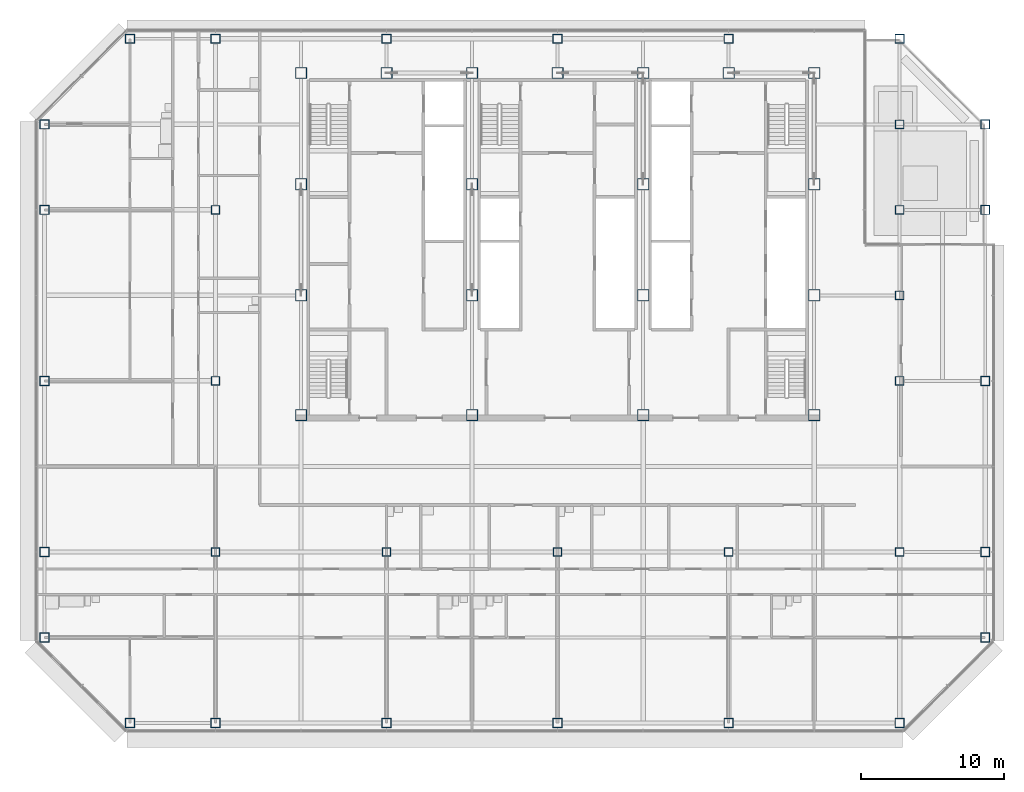
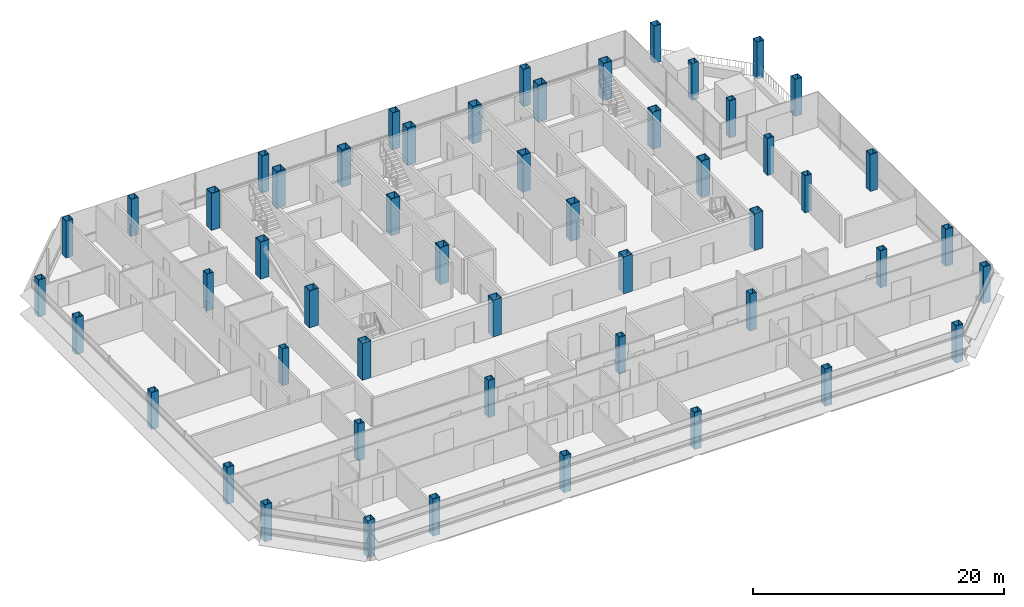
# One storey, part 1 of 29: 52 columns.
"""IFC4 building model written with IfcOpenShell, lengths in metres."""

from ifc_helpers import new_model, si_unit, direction, frame, origin, origin_2d, place, context, subcontext, project, spatial, hollow_rectangle, extrude, material, material_profile, profile_set, type_object, element, save


model = new_model("IFC4")

# Units and contexts
model_context = context("Model", 3, precision=1e-05, world=origin(), true_north=direction((0.0, 1.0)))
body_context = subcontext(model_context, "Body", "Model", "MODEL_VIEW")
ifc_project = project(units=[si_unit("LENGTHUNIT", "METRE"), si_unit("AREAUNIT", "SQUARE_METRE"), si_unit("VOLUMEUNIT", "CUBIC_METRE"), si_unit("PLANEANGLEUNIT", "RADIAN"), si_unit("MASSUNIT", "GRAM", prefix="KILO")], contexts=[model_context])

# Site, building, storey
site_placement = place(None, origin())
site = spatial("IfcSite", under=ifc_project, at=site_placement, CompositionType="ELEMENT")
building_placement = place(site_placement, origin())
building = spatial("IfcBuilding", under=site, at=building_placement, Name="Sorahane Residences", CompositionType="ELEMENT")
storey_placement = place(building_placement, frame((0.0, 0.0, 199.199951171875)))
storey = spatial("IfcBuildingStorey", under=building, at=storey_placement, Name="L46", CompositionType="ELEMENT", Elevation=199.199951171875)

# Columns
ifc_material_1 = material(Name="Steel Q355B", Category="steel")
ifc_material_profile_1 = material_profile(ifc_material_1, hollow_rectangle(XDim=0.60009765625, YDim=0.60009765625, WallThickness=0.028076171875, at=origin_2d()), Name="BOX 600x600x28")
ifc_profile_set_1 = profile_set([ifc_material_profile_1], Name="Steel Q355B")
column_type_1 = type_object("IfcColumnType", Name="Steel box column BOX 600x600x28 Q355B", PredefinedType="COLUMN", material=ifc_profile_set_1)
for number, where, z_axis, x_axis, name in (
    (1, (0.0, 12.0, 0.0), (0.0, 0.0, 1.0), (1.0, 0.0, 0.0), "Column L46 0/12"),
    (2, (0.0, 24.0, 0.0), (0.0, 0.0, 1.0), (1.0, 0.0, 0.0), "Column L46 0/24"),
    (3, (0.0, 36.0, 0.0), (0.0, 0.0, 1.0), (1.0, 0.0, 0.0), "Column L46 0/36"),
    (4, (12.0, 12.0, 0.0), (0.0, 0.0, 1.0), (1.0, 0.0, 0.0), "Column L46 12/12"),
    (5, (24.0, 12.0, 0.0), (0.0, 0.0, 1.0), (1.0, 0.0, 0.0), "Column L46 24/12"),
    (6, (36.0, 12.0, 0.0), (0.0, 0.0, 1.0), (1.0, 0.0, 0.0), "Column L46 36/12"),
    (7, (48.0, 12.0, 0.0), (0.0, 0.0, 1.0), (1.0, 0.0, 0.0), "Column L46 48/12"),
    (8, (48.0, 24.0, 0.0), (0.0, 0.0, 1.0), (1.0, 0.0, 0.0), "Column L46 48/24"),
    (9, (48.0, 30.0, 0.0), (0.0, 0.0, 1.0), (1.0, 0.0, 0.0), "Column L46 48/30"),
    (10, (48.0, 36.0, 0.0), (0.0, 0.0, 1.0), (1.0, 0.0, 0.0), "Column L46 48/36"),
    (11, (48.0, 42.0, 0.0), (0.0, 0.0, 1.0), (1.0, 0.0, 0.0), "Column L46 48/42"),
):
    element("IfcColumn", number, at=place(storey_placement, frame(where, z_axis=z_axis, x_axis=x_axis)), inside=storey, type_object=column_type_1, Name=name, PredefinedType="COLUMN", context=body_context, shape_type="SweptSolid", body=[
        extrude(hollow_rectangle(XDim=0.60009765625, YDim=0.60009765625, WallThickness=0.028076171875, at=origin_2d()), origin(), (0.0, 0.0, 1.0), 3.60009765625),
    ])
ifc_material_2 = material(Name="Steel Q355B", Category="steel")
ifc_material_profile_2 = material_profile(ifc_material_2, hollow_rectangle(XDim=0.64990234375, YDim=0.64990234375, WallThickness=0.031982421875, at=origin_2d()), Name="BOX 650x650x32")
ifc_profile_set_2 = profile_set([ifc_material_profile_2], Name="Steel Q355B")
column_type_2 = type_object("IfcColumnType", Name="Steel box column BOX 650x650x32 Q355B", PredefinedType="COLUMN", material=ifc_profile_set_2)
for number, where, z_axis, x_axis, name in (
    (12, (-12.0, 6.0, 0.0), (0.0, 0.0, 1.0), (1.0, 0.0, 0.0), "Column L46 m12/6"),
    (13, (-12.0, 12.0, 0.0), (0.0, 0.0, 1.0), (1.0, 0.0, 0.0), "Column L46 m12/12"),
    (14, (-12.0, 24.0, 0.0), (0.0, 0.0, 1.0), (1.0, 0.0, 0.0), "Column L46 m12/24"),
    (15, (-12.0, 36.0, 0.0), (0.0, 0.0, 1.0), (1.0, 0.0, 0.0), "Column L46 m12/36"),
    (16, (-12.0, 42.0, 0.0), (0.0, 0.0, 1.0), (1.0, 0.0, 0.0), "Column L46 m12/42"),
    (17, (-6.0, 0.0, 0.0), (0.0, 0.0, 1.0), (1.0, 0.0, 0.0), "Column L46 m6/0"),
    (18, (-6.0, 48.0, 0.0), (0.0, 0.0, 1.0), (1.0, 0.0, 0.0), "Column L46 m6/48"),
    (19, (0.0, 0.0, 0.0), (0.0, 0.0, 1.0), (1.0, 0.0, 0.0), "Column L46 0/0"),
    (20, (0.0, 48.0, 0.0), (0.0, 0.0, 1.0), (1.0, 0.0, 0.0), "Column L46 0/48"),
    (21, (12.0, 0.0, 0.0), (0.0, 0.0, 1.0), (1.0, 0.0, 0.0), "Column L46 12/0"),
    (22, (12.0, 48.0, 0.0), (0.0, 0.0, 1.0), (1.0, 0.0, 0.0), "Column L46 12/48"),
    (23, (24.0, 0.0, 0.0), (0.0, 0.0, 1.0), (1.0, 0.0, 0.0), "Column L46 24/0"),
    (24, (24.0, 48.0, 0.0), (0.0, 0.0, 1.0), (1.0, 0.0, 0.0), "Column L46 24/48"),
    (25, (36.0, 0.0, 0.0), (0.0, 0.0, 1.0), (1.0, 0.0, 0.0), "Column L46 36/0"),
    (26, (36.0, 48.0, 0.0), (0.0, 0.0, 1.0), (1.0, 0.0, 0.0), "Column L46 36/48"),
    (27, (48.0, 0.0, 0.0), (0.0, 0.0, 1.0), (1.0, 0.0, 0.0), "Column L46 48/0"),
    (28, (48.0, 48.0, 0.0), (0.0, 0.0, 1.0), (1.0, 0.0, 0.0), "Column L46 48/48"),
    (29, (54.0, 6.0, 0.0), (0.0, 0.0, 1.0), (1.0, 0.0, 0.0), "Column L46 54/6"),
    (30, (54.0, 12.0, 0.0), (0.0, 0.0, 1.0), (1.0, 0.0, 0.0), "Column L46 54/12"),
    (31, (54.0, 24.0, 0.0), (0.0, 0.0, 1.0), (1.0, 0.0, 0.0), "Column L46 54/24"),
    (32, (54.0, 36.0, 0.0), (0.0, 0.0, 1.0), (1.0, 0.0, 0.0), "Column L46 54/36"),
    (33, (54.0, 42.0, 0.0), (0.0, 0.0, 1.0), (1.0, 0.0, 0.0), "Column L46 54/42"),
):
    element("IfcColumn", number, at=place(storey_placement, frame(where, z_axis=z_axis, x_axis=x_axis)), inside=storey, type_object=column_type_2, Name=name, PredefinedType="COLUMN", context=body_context, shape_type="SweptSolid", body=[
        extrude(hollow_rectangle(XDim=0.64990234375, YDim=0.64990234375, WallThickness=0.031982421875, at=origin_2d()), origin(), (0.0, 0.0, 1.0), 3.60009765625),
    ])
ifc_material_3 = material(Name="Steel Q355B", Category="steel")
ifc_material_profile_3 = material_profile(ifc_material_3, hollow_rectangle(XDim=0.800048828125, YDim=0.800048828125, WallThickness=0.0400390625, at=origin_2d()), Name="BOX 800x800x40")
ifc_profile_set_3 = profile_set([ifc_material_profile_3], Name="Steel Q355B")
column_type_3 = type_object("IfcColumnType", Name="Steel box column BOX 800x800x40 Q355B", PredefinedType="COLUMN", material=ifc_profile_set_3)
for number, where, z_axis, x_axis, name in (
    (34, (6.0, 21.60009765625, 0.0), (0.0, 0.0, 1.0), (1.0, 0.0, 0.0), "Column L46 6/21.6"),
    (35, (6.0, 30.0, 0.0), (0.0, 0.0, 1.0), (1.0, 0.0, 0.0), "Column L46 6/30"),
    (36, (6.0, 37.800048828125, 0.0), (0.0, 0.0, 1.0), (1.0, 0.0, 0.0), "Column L46 6/37.8"),
    (37, (6.0, 45.60009765625, 0.0), (0.0, 0.0, 1.0), (1.0, 0.0, 0.0), "Column L46 6/45.6"),
    (38, (12.0, 45.60009765625, 0.0), (0.0, 0.0, 1.0), (1.0, 0.0, 0.0), "Column L46 12/45.6"),
    (39, (18.0, 21.60009765625, 0.0), (0.0, 0.0, 1.0), (1.0, 0.0, 0.0), "Column L46 18/21.6"),
    (40, (18.0, 30.0, 0.0), (0.0, 0.0, 1.0), (1.0, 0.0, 0.0), "Column L46 18/30"),
    (41, (18.0, 37.800048828125, 0.0), (0.0, 0.0, 1.0), (1.0, 0.0, 0.0), "Column L46 18/37.8"),
    (42, (18.0, 45.60009765625, 0.0), (0.0, 0.0, 1.0), (1.0, 0.0, 0.0), "Column L46 18/45.6"),
    (43, (24.0, 45.60009765625, 0.0), (0.0, 0.0, 1.0), (1.0, 0.0, 0.0), "Column L46 24/45.6"),
    (44, (30.0, 21.60009765625, 0.0), (0.0, 0.0, 1.0), (1.0, 0.0, 0.0), "Column L46 30/21.6"),
    (45, (30.0, 30.0, 0.0), (0.0, 0.0, 1.0), (1.0, 0.0, 0.0), "Column L46 30/30"),
    (46, (30.0, 37.800048828125, 0.0), (0.0, 0.0, 1.0), (1.0, 0.0, 0.0), "Column L46 30/37.8"),
    (47, (30.0, 45.60009765625, 0.0), (0.0, 0.0, 1.0), (1.0, 0.0, 0.0), "Column L46 30/45.6"),
    (48, (36.0, 45.60009765625, 0.0), (0.0, 0.0, 1.0), (1.0, 0.0, 0.0), "Column L46 36/45.6"),
    (49, (42.0, 21.60009765625, 0.0), (0.0, 0.0, 1.0), (1.0, 0.0, 0.0), "Column L46 42/21.6"),
    (50, (42.0, 30.0, 0.0), (0.0, 0.0, 1.0), (1.0, 0.0, 0.0), "Column L46 42/30"),
    (51, (42.0, 37.800048828125, 0.0), (0.0, 0.0, 1.0), (1.0, 0.0, 0.0), "Column L46 42/37.8"),
    (52, (42.0, 45.60009765625, 0.0), (0.0, 0.0, 1.0), (1.0, 0.0, 0.0), "Column L46 42/45.6"),
):
    element("IfcColumn", number, at=place(storey_placement, frame(where, z_axis=z_axis, x_axis=x_axis)), inside=storey, type_object=column_type_3, Name=name, PredefinedType="COLUMN", context=body_context, shape_type="SweptSolid", body=[
        extrude(hollow_rectangle(XDim=0.800048828125, YDim=0.800048828125, WallThickness=0.0400390625, at=origin_2d()), origin(), (0.0, 0.0, 1.0), 3.60009765625),
    ])

save(model, "model.ifc")
